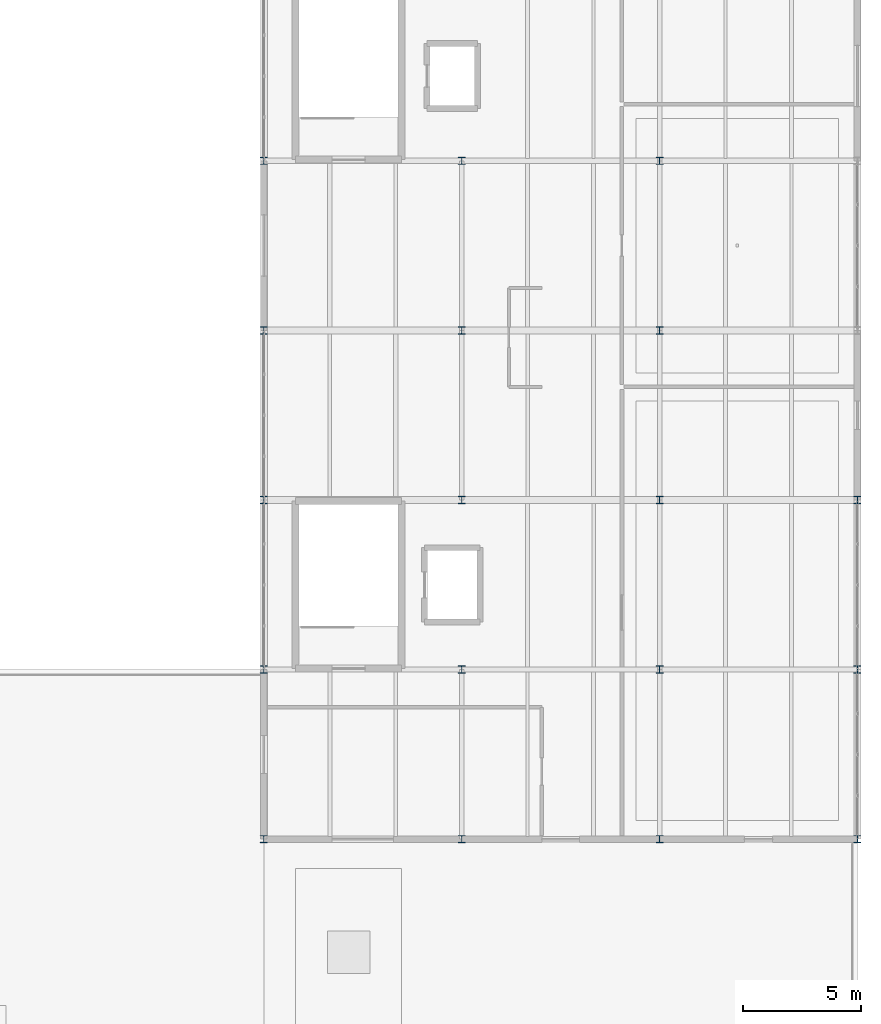
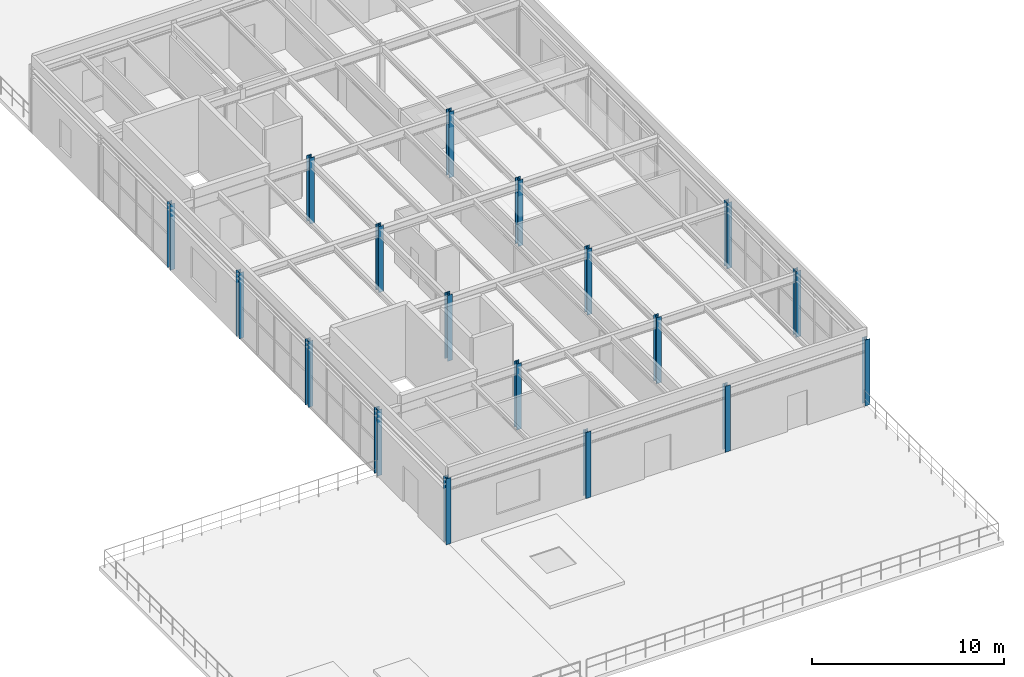
# One storey, part 1 of 77: 18 columns.
"""IFC4 building model written with IfcOpenShell, lengths in metres."""

from ifc_helpers import new_model, si_unit, derived_unit, direction, frame, origin, origin_2d, place, context, subcontext, project, spatial, i_section, extrude, material, material_profile, profile_set, type_object, element, save


model = new_model("IFC4")

# Units and contexts
model_context = context("Model", 3, precision=1e-05, world=origin(), true_north=direction((0.0, 1.0)))
body_context = subcontext(model_context, "Body", "Model", "MODEL_VIEW")
ifc_project = project(units=[si_unit("LENGTHUNIT", "METRE"), si_unit("AREAUNIT", "SQUARE_METRE"), si_unit("VOLUMEUNIT", "CUBIC_METRE"), si_unit("PLANEANGLEUNIT", "RADIAN"), si_unit("MASSUNIT", "GRAM", prefix="KILO"), derived_unit("THERMALTRANSMITTANCEUNIT", [(si_unit("MASSUNIT", "GRAM", prefix="KILO"), 1), (si_unit("TIMEUNIT", "SECOND"), -3), (si_unit("THERMODYNAMICTEMPERATUREUNIT", "KELVIN"), -1)])], contexts=[model_context])

# Site, building, storey
site_placement = place(None, origin())
site = spatial("IfcSite", under=ifc_project, at=site_placement, CompositionType="ELEMENT")
building_placement = place(site_placement, origin())
building = spatial("IfcBuilding", under=site, at=building_placement, Name="Kharveza Railside Sports Centre", CompositionType="ELEMENT")
storey_placement = place(building_placement, frame((0.0, 0.0, 17.10009765625)))
storey = spatial("IfcBuildingStorey", under=building, at=storey_placement, Name="L04", CompositionType="ELEMENT", Elevation=17.10009765625)

# Columns
ifc_material = material(Name="Steel S355J2", Category="steel")
ifc_material_profile = material_profile(ifc_material, i_section(OverallWidth=0.300048828125, OverallDepth=0.31005859375, WebThickness=0.009033203125, FlangeThickness=0.015380859375, FilletRadius=0.027099609375, at=origin_2d()), Name="HEA 320")
ifc_profile_set = profile_set([ifc_material_profile], Name="Steel S355J2")
column_type = type_object("IfcColumnType", Name="COL-S12", PredefinedType="COLUMN", material=ifc_profile_set)
for number, where, z_axis, x_axis, name in (
    (1, (142.800048828125, 28.800048828125, 0.0), (0.0, 0.0, 1.0), (1.0, 0.0, 0.0), "COL-G-C12-X1428-Y288-L04"),
    (2, (142.800048828125, 36.0, 0.0), (0.0, 0.0, 1.0), (1.0, 0.0, 0.0), "COL-G-C12-X1428-Y360-L04"),
    (3, (142.800048828125, 43.199951171875, 0.0), (0.0, 0.0, 1.0), (1.0, 0.0, 0.0), "COL-G-C12-X1428-Y432-L04"),
    (4, (142.800048828125, 50.39990234375, 0.0), (0.0, 0.0, 1.0), (1.0, 0.0, 0.0), "COL-G-C12-X1428-Y504-L04"),
    (5, (142.800048828125, 57.60009765625, 0.0), (0.0, 0.0, 1.0), (1.0, 0.0, 0.0), "COL-G-C12-X1428-Y576-L04"),
    (6, (151.199951171875, 28.800048828125, 0.0), (0.0, 0.0, 1.0), (1.0, 0.0, 0.0), "COL-G-C12-X1512-Y288-L04"),
    (7, (151.199951171875, 36.0, 0.0), (0.0, 0.0, 1.0), (1.0, 0.0, 0.0), "COL-G-C12-X1512-Y360-L04"),
    (8, (151.199951171875, 43.199951171875, 0.0), (0.0, 0.0, 1.0), (1.0, 0.0, 0.0), "COL-G-C12-X1512-Y432-L04"),
    (9, (151.199951171875, 50.39990234375, 0.0), (0.0, 0.0, 1.0), (1.0, 0.0, 0.0), "COL-G-C12-X1512-Y504-L04"),
    (10, (151.199951171875, 57.60009765625, 0.0), (0.0, 0.0, 1.0), (1.0, 0.0, 0.0), "COL-G-C12-X1512-Y576-L04"),
    (11, (159.60009765625, 28.800048828125, 0.0), (0.0, 0.0, 1.0), (1.0, 0.0, 0.0), "COL-G-C12-X1596-Y288-L04"),
    (12, (159.60009765625, 36.0, 0.0), (0.0, 0.0, 1.0), (1.0, 0.0, 0.0), "COL-G-C12-X1596-Y360-L04"),
    (13, (159.60009765625, 43.199951171875, 0.0), (0.0, 0.0, 1.0), (1.0, 0.0, 0.0), "COL-G-C12-X1596-Y432-L04"),
    (14, (159.60009765625, 50.39990234375, 0.0), (0.0, 0.0, 1.0), (1.0, 0.0, 0.0), "COL-G-C12-X1596-Y504-L04"),
    (15, (159.60009765625, 57.60009765625, 0.0), (0.0, 0.0, 1.0), (1.0, 0.0, 0.0), "COL-G-C12-X1596-Y576-L04"),
    (16, (168.0, 28.800048828125, 0.0), (0.0, 0.0, 1.0), (1.0, 0.0, 0.0), "COL-G-C12-X1680-Y288-L04"),
    (17, (168.0, 36.0, 0.0), (0.0, 0.0, 1.0), (1.0, 0.0, 0.0), "COL-G-C12-X1680-Y360-L04"),
    (18, (168.0, 43.199951171875, 0.0), (0.0, 0.0, 1.0), (1.0, 0.0, 0.0), "COL-G-C12-X1680-Y432-L04"),
):
    element("IfcColumn", number, at=place(storey_placement, frame(where, z_axis=z_axis, x_axis=x_axis)), inside=storey, type_object=column_type, Name=name, PredefinedType="COLUMN", context=body_context, shape_type="SweptSolid", body=[
        extrude(i_section(OverallWidth=0.300048828125, OverallDepth=0.31005859375, WebThickness=0.009033203125, FlangeThickness=0.015380859375, FilletRadius=0.027099609375, at=origin_2d()), origin(), (0.0, 0.0, 1.0), 4.199951171875),
    ])

save(model, "model.ifc")
